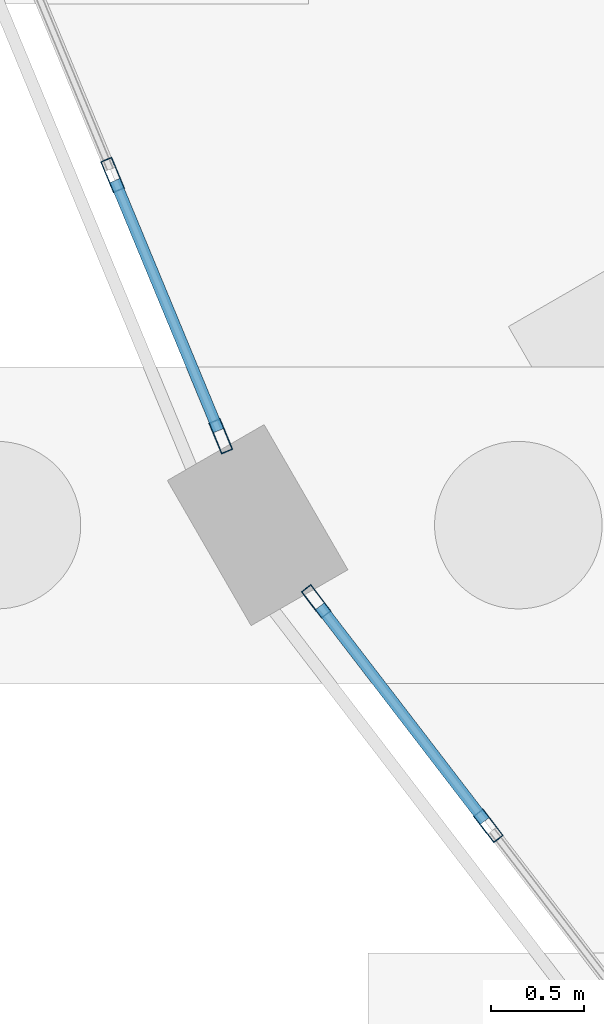
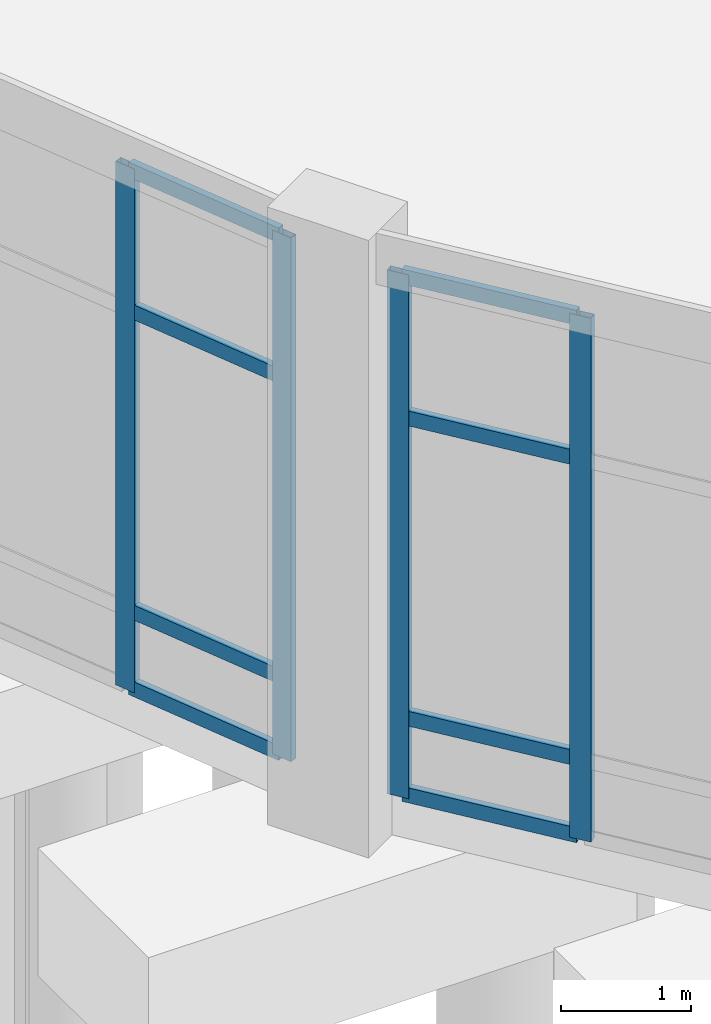
# One storey, part 29 of 137: 12 members, 2 elements without a shape of their own.
"""IFC4 building model written with IfcOpenShell, lengths in metres."""

from ifc_helpers import new_model, si_unit, direction, frame, origin, origin_2d, place, context, subcontext, project, spatial, hollow_rectangle, extrude, material, material_profile, profile_set, type_object, element, aggregate, save


model = new_model("IFC4")

# Units and contexts
model_context = context("Model", 3, precision=1e-05, world=origin(), true_north=direction((0.0, 1.0)))
body_context = subcontext(model_context, "Body", "Model", "MODEL_VIEW")
ifc_project = project(units=[si_unit("LENGTHUNIT", "METRE"), si_unit("AREAUNIT", "SQUARE_METRE"), si_unit("VOLUMEUNIT", "CUBIC_METRE"), si_unit("PLANEANGLEUNIT", "RADIAN"), si_unit("MASSUNIT", "GRAM", prefix="KILO")], contexts=[model_context])

# Site, building, storey
site_placement = place(None, origin())
site = spatial("IfcSite", under=ifc_project, at=site_placement, CompositionType="ELEMENT")
building_placement = place(site_placement, origin())
building = spatial("IfcBuilding", under=site, at=building_placement, Name="Vondelvale Polytechnic", CompositionType="ELEMENT")
storey_placement = place(building_placement, origin())
storey = spatial("IfcBuildingStorey", under=building, at=storey_placement, Name="L00", CompositionType="ELEMENT", Elevation=0.0)

# Curtain wall, members
ifc_material_1 = material(Name="Glulam GL18 structural Tasmanian oak (fb = 42 MPa)", Category="wood")
curtain_wall_type = type_object("IfcCurtainWallType", Name="CW-RING-OUTER", PredefinedType="NOTDEFINED", material=ifc_material_1)
curtain_wall_1_placement = place(storey_placement, origin())
curtain_wall_1 = element("IfcCurtainWall", 1, at=curtain_wall_1_placement, inside=storey, type_object=curtain_wall_type, Name="L00 architectural curtain wall CW-04-278", PredefinedType="NOTDEFINED")
ifc_material_2 = material(Name="Anodised extruded aluminium 6063-T6", Category="aluminium")
ifc_material_profile_1 = material_profile(ifc_material_2, hollow_rectangle(XDim=0.06494140625, YDim=0.179931640625, WallThickness=0.00390625, at=origin_2d()), Name="CW-MUL-180x65")
ifc_profile_set_1 = profile_set([ifc_material_profile_1], Name="Anodised extruded aluminium 6063-T6")
member_type_1 = type_object("IfcMemberType", Name="CW-MUL-65x180", PredefinedType="MULLION", material=ifc_profile_set_1)
member_1_placement = place(storey_placement, frame((61.3837890625, 50.880859375, 0.0), z_axis=(0.0, 0.0, 1.0), x_axis=(0.92388135159, 0.382679040691, 0.0)))
member_1 = element("IfcMember", 2, at=member_1_placement, type_object=member_type_1, Name="CW-04-278 mullion 2", PredefinedType="MULLION", context=body_context, shape_type="SweptSolid", body=[
    extrude(hollow_rectangle(XDim=0.06494140625, YDim=0.179931640625, WallThickness=0.00390625, at=origin_2d()), origin(), (0.0, 0.0, 1.0), 4.919921875),
])
member_2_placement = place(storey_placement, frame((61.965087890625, 49.477294921875, 0.0), z_axis=(0.0, 0.0, 1.0), x_axis=(0.92388135159, 0.382679040691, 0.0)))
member_2 = element("IfcMember", 3, at=member_2_placement, type_object=member_type_1, Name="CW-04-278 mullion 3", PredefinedType="MULLION", context=body_context, shape_type="SweptSolid", body=[
    extrude(hollow_rectangle(XDim=0.06494140625, YDim=0.179931640625, WallThickness=0.00390625, at=origin_2d()), origin(), (0.0, 0.0, 1.0), 4.919921875),
])

curtain_wall_2_placement = place(storey_placement, origin())
curtain_wall_2 = element("IfcCurtainWall", 4, at=curtain_wall_2_placement, inside=storey, type_object=curtain_wall_type, Name="L00 architectural curtain wall CW-04-295", PredefinedType="NOTDEFINED")
member_3_placement = place(storey_placement, frame((62.477294921875, 48.59033203125, 0.0), z_axis=(0.0, 0.0, 1.0), x_axis=(0.793351666305, 0.608763610584, 0.0)))
member_3 = element("IfcMember", 5, at=member_3_placement, type_object=member_type_1, Name="CW-04-295 mullion 1", PredefinedType="MULLION", context=body_context, shape_type="SweptSolid", body=[
    extrude(hollow_rectangle(XDim=0.06494140625, YDim=0.179931640625, WallThickness=0.00390625, at=origin_2d()), origin(), (0.0, 0.0, 1.0), 4.919921875),
])
member_4_placement = place(storey_placement, frame((63.402099609375, 47.384765625, 0.0), z_axis=(0.0, 0.0, 1.0), x_axis=(0.793351666305, 0.608763610584, 0.0)))
member_4 = element("IfcMember", 6, at=member_4_placement, type_object=member_type_1, Name="CW-04-295 mullion 2", PredefinedType="MULLION", context=body_context, shape_type="SweptSolid", body=[
    extrude(hollow_rectangle(XDim=0.06494140625, YDim=0.179931640625, WallThickness=0.00390625, at=origin_2d()), origin(), (0.0, 0.0, 1.0), 4.919921875),
])

# Member
ifc_material_profile_2 = material_profile(ifc_material_2, hollow_rectangle(XDim=0.06005859375, YDim=0.139892578125, WallThickness=0.00341796875, at=origin_2d()), Name="CW-TRN-140x60")
ifc_profile_set_2 = profile_set([ifc_material_profile_2], Name="Anodised extruded aluminium 6063-T6")
member_type_2 = type_object("IfcMemberType", Name="CW-TRN-60x140", PredefinedType="USERDEFINED", material=ifc_profile_set_2)
member_5_placement = place(storey_placement, frame((61.396240234375, 50.850830078125, 0.030029296875), z_axis=(0.38262364032, -0.92390429692, 0.0), x_axis=(0.92390429692, 0.38262364032, 0.0)))
member_5 = element("IfcMember", 7, at=member_5_placement, type_object=member_type_2, Name="CW-04-278 transom 2.1", ObjectType="TRANSOM", PredefinedType="USERDEFINED", context=body_context, shape_type="SweptSolid", body=[
    extrude(hollow_rectangle(XDim=0.06005859375, YDim=0.139892578125, WallThickness=0.00341796875, at=origin_2d()), origin(), (0.0, 0.0, 1.0), 1.4541015625),
])

member_6_placement = place(storey_placement, frame((61.396240234375, 50.850830078125, 0.75), z_axis=(0.38262364032, -0.92390429692, 0.0), x_axis=(0.92390429692, 0.38262364032, 0.0)))
member_6 = element("IfcMember", 8, at=member_6_placement, type_object=member_type_2, Name="CW-04-278 transom 2.2", ObjectType="TRANSOM", PredefinedType="USERDEFINED", context=body_context, shape_type="SweptSolid", body=[
    extrude(hollow_rectangle(XDim=0.06005859375, YDim=0.139892578125, WallThickness=0.00341796875, at=origin_2d()), origin(), (0.0, 0.0, 1.0), 1.4541015625),
])

member_7_placement = place(storey_placement, frame((61.396240234375, 50.850830078125, 3.570068359375), z_axis=(0.38262364032, -0.92390429692, 0.0), x_axis=(0.92390429692, 0.38262364032, 0.0)))
member_7 = element("IfcMember", 9, at=member_7_placement, type_object=member_type_2, Name="CW-04-278 transom 2.3", ObjectType="TRANSOM", PredefinedType="USERDEFINED", context=body_context, shape_type="SweptSolid", body=[
    extrude(hollow_rectangle(XDim=0.06005859375, YDim=0.139892578125, WallThickness=0.00341796875, at=origin_2d()), origin(), (0.0, 0.0, 1.0), 1.4541015625),
])

member_8_placement = place(storey_placement, frame((61.396240234375, 50.850830078125, 4.889892578125), z_axis=(0.38262364032, -0.92390429692, 0.0), x_axis=(0.92390429692, 0.38262364032, 0.0)))
member_8 = element("IfcMember", 10, at=member_8_placement, type_object=member_type_2, Name="CW-04-278 transom 2.4", ObjectType="TRANSOM", PredefinedType="USERDEFINED", context=body_context, shape_type="SweptSolid", body=[
    extrude(hollow_rectangle(XDim=0.06005859375, YDim=0.139892578125, WallThickness=0.00341796875, at=origin_2d()), origin(), (0.0, 0.0, 1.0), 1.4541015625),
])

aggregate(curtain_wall_1, [member_1, member_2, member_5, member_6, member_7, member_8])

member_9_placement = place(storey_placement, frame((62.4970703125, 48.564453125, 0.030029296875), z_axis=(0.608720500097, -0.793384744473, 0.0), x_axis=(0.793384744473, 0.608720500097, 0.0)))
member_9 = element("IfcMember", 11, at=member_9_placement, type_object=member_type_2, Name="CW-04-295 transom 1.1", ObjectType="TRANSOM", PredefinedType="USERDEFINED", context=body_context, shape_type="SweptSolid", body=[
    extrude(hollow_rectangle(XDim=0.06005859375, YDim=0.139892578125, WallThickness=0.00341796875, at=origin_2d()), origin(), (0.0, 0.0, 1.0), 1.454345703125),
])

member_10_placement = place(storey_placement, frame((62.4970703125, 48.564453125, 0.75), z_axis=(0.608720500097, -0.793384744473, 0.0), x_axis=(0.793384744473, 0.608720500097, 0.0)))
member_10 = element("IfcMember", 12, at=member_10_placement, type_object=member_type_2, Name="CW-04-295 transom 1.2", ObjectType="TRANSOM", PredefinedType="USERDEFINED", context=body_context, shape_type="SweptSolid", body=[
    extrude(hollow_rectangle(XDim=0.06005859375, YDim=0.139892578125, WallThickness=0.00341796875, at=origin_2d()), origin(), (0.0, 0.0, 1.0), 1.454345703125),
])

member_11_placement = place(storey_placement, frame((62.4970703125, 48.564453125, 3.570068359375), z_axis=(0.608720500097, -0.793384744473, 0.0), x_axis=(0.793384744473, 0.608720500097, 0.0)))
member_11 = element("IfcMember", 13, at=member_11_placement, type_object=member_type_2, Name="CW-04-295 transom 1.3", ObjectType="TRANSOM", PredefinedType="USERDEFINED", context=body_context, shape_type="SweptSolid", body=[
    extrude(hollow_rectangle(XDim=0.06005859375, YDim=0.139892578125, WallThickness=0.00341796875, at=origin_2d()), origin(), (0.0, 0.0, 1.0), 1.454345703125),
])

member_12_placement = place(storey_placement, frame((62.4970703125, 48.564453125, 4.889892578125), z_axis=(0.608720500097, -0.793384744473, 0.0), x_axis=(0.793384744473, 0.608720500097, 0.0)))
member_12 = element("IfcMember", 14, at=member_12_placement, type_object=member_type_2, Name="CW-04-295 transom 1.4", ObjectType="TRANSOM", PredefinedType="USERDEFINED", context=body_context, shape_type="SweptSolid", body=[
    extrude(hollow_rectangle(XDim=0.06005859375, YDim=0.139892578125, WallThickness=0.00341796875, at=origin_2d()), origin(), (0.0, 0.0, 1.0), 1.454345703125),
])

aggregate(curtain_wall_2, [member_3, member_4, member_9, member_10, member_11, member_12])

save(model, "model.ifc")
